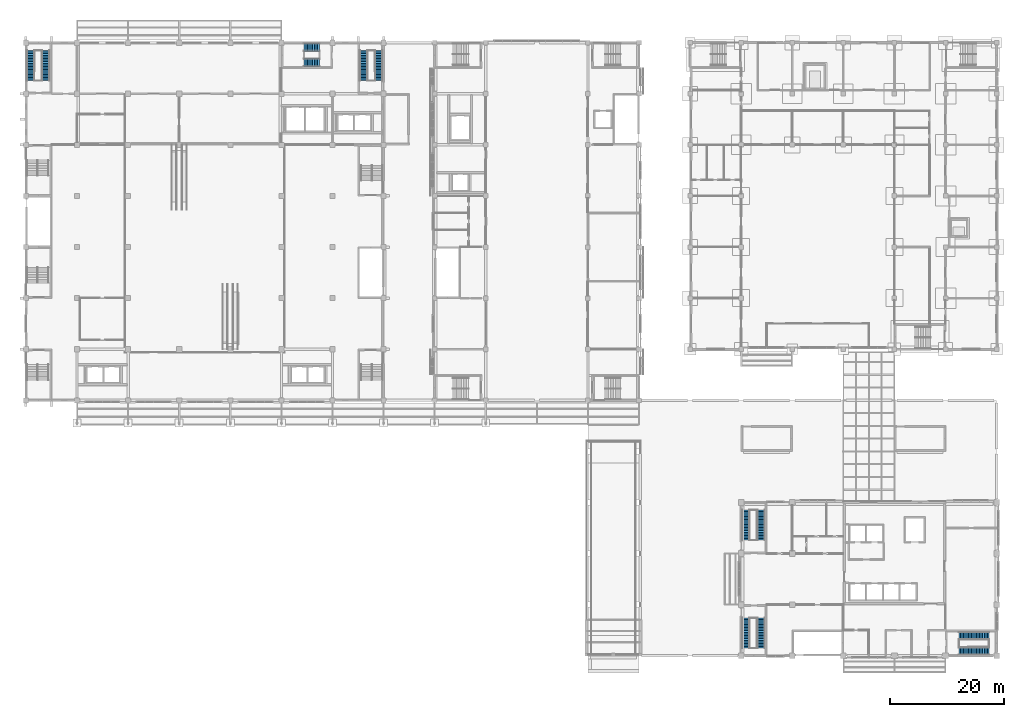
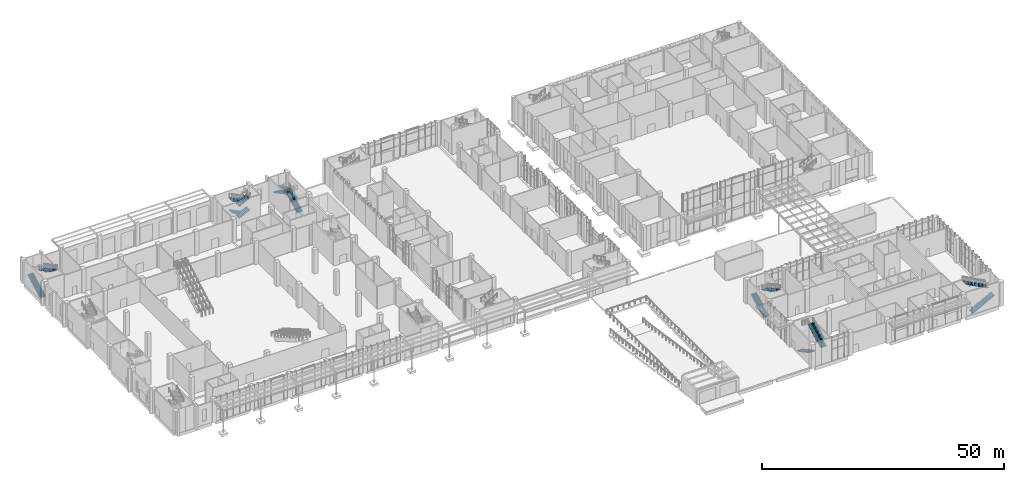
# One storey, part 65 of 86: 14 stair flights, 6 elements without a shape of their own.
"""IFC4 building model written with IfcOpenShell, lengths in metres."""

from ifc_helpers import new_model, si_unit, direction, frame, origin, place, context, subcontext, project, spatial, polyline, outline, extrude, material, type_object, element, aggregate, save


model = new_model("IFC4")

# Units and contexts
model_context = context("Model", 3, precision=1e-05, world=origin(), true_north=direction((0.0, 1.0)))
body_context = subcontext(model_context, "Body", "Model", "MODEL_VIEW")
ifc_project = project(units=[si_unit("LENGTHUNIT", "METRE"), si_unit("AREAUNIT", "SQUARE_METRE"), si_unit("VOLUMEUNIT", "CUBIC_METRE"), si_unit("PLANEANGLEUNIT", "RADIAN"), si_unit("MASSUNIT", "GRAM", prefix="KILO")], contexts=[model_context])

# Site, building, storey
site_placement = place(None, origin())
site = spatial("IfcSite", under=ifc_project, at=site_placement, CompositionType="ELEMENT")
building_placement = place(site_placement, origin())
building = spatial("IfcBuilding", under=site, at=building_placement, Name="Guidao Yard Department Store", CompositionType="ELEMENT")
storey_placement = place(building_placement, origin())
storey = spatial("IfcBuildingStorey", under=building, at=storey_placement, Name="L00", CompositionType="ELEMENT", Elevation=0.0)

# Stair, stair flights
ifc_material_1 = material(Name="Concrete C35", Category="concrete")
stair_type_1 = type_object("IfcStairType", Name="Stair double-return four-flight 1400 wide 6.0 m rise", PredefinedType="DOUBLE_RETURN_STAIR", material=ifc_material_1)
stair_1_placement = place(storey_placement, origin())
stair_1 = element("IfcStair", 1, at=stair_1_placement, inside=storey, type_object=stair_type_1, Name="Stair A7 L00 to L01", PredefinedType="DOUBLE_RETURN_STAIR")
ifc_material_2 = material(Name="Concrete C35", Category="concrete")
stair_flight_type_1 = type_object("IfcStairFlightType", Name="Stair flight RC straight 1400 wide 10 risers x 300 going C35", PredefinedType="STRAIGHT", material=ifc_material_2)
stair_flight_1_placement = place(storey_placement, frame((51.699951171875, 107.175048828125, 0.0), z_axis=(0.0, 0.0, 1.0), x_axis=(-1.0, 0.0, 0.0)))
stair_flight_1 = element("IfcStairFlight", 2, at=stair_flight_1_placement, type_object=stair_flight_type_1, Name="SA7-L00 flight 1", NumberOfRisers=10, NumberOfTreads=9, PredefinedType="STRAIGHT", RiserHeight=0.15, TreadLength=0.3, context=body_context, shape_type="SweptSolid", body=[
    extrude(outline(polyline([(0.0, 0.0), (0.0, 0.14990234375), (0.300048828125, 0.14990234375), (0.300048828125, 0.300048828125), (0.60009765625, 0.300048828125), (0.60009765625, 0.449951171875), (0.89990234375, 0.449951171875), (0.89990234375, 0.60009765625), (1.199951171875, 0.60009765625), (1.199951171875, 0.75), (1.5, 0.75), (1.5, 0.89990234375), (1.800048828125, 0.89990234375), (1.800048828125, 1.050048828125), (2.10009765625, 1.050048828125), (2.10009765625, 1.199951171875), (2.39990234375, 1.199951171875), (2.39990234375, 1.35009765625), (2.699951171875, 1.35009765625), (2.699951171875, 1.5), (2.699951171875, 1.182373046875), (0.335205078125, 0.0), (0.0, 0.0)])), frame((0.0, 0.699951171875, 0.0), z_axis=(0.0, -1.0, 0.0), x_axis=(1.0, 0.0, 0.0)), (0.0, 0.0, 1.0), 1.39990234375),
])
stair_flight_2_placement = place(storey_placement, frame((49.0, 104.5, 1.5), z_axis=(0.0, 0.0, 1.0), x_axis=(1.0, 0.0, 0.0)))
stair_flight_2 = element("IfcStairFlight", 3, at=stair_flight_2_placement, type_object=stair_flight_type_1, Name="SA7-L00 flight 2", NumberOfRisers=10, NumberOfTreads=9, PredefinedType="STRAIGHT", RiserHeight=0.15, TreadLength=0.3, context=body_context, shape_type="SweptSolid", body=[
    extrude(outline(polyline([(0.0, 0.0), (0.0, 0.14990234375), (0.300048828125, 0.14990234375), (0.300048828125, 0.300048828125), (0.60009765625, 0.300048828125), (0.60009765625, 0.449951171875), (0.89990234375, 0.449951171875), (0.89990234375, 0.60009765625), (1.199951171875, 0.60009765625), (1.199951171875, 0.75), (1.5, 0.75), (1.5, 0.89990234375), (1.800048828125, 0.89990234375), (1.800048828125, 1.050048828125), (2.10009765625, 1.050048828125), (2.10009765625, 1.199951171875), (2.39990234375, 1.199951171875), (2.39990234375, 1.35009765625), (2.699951171875, 1.35009765625), (2.699951171875, 1.5), (2.699951171875, 1.182373046875), (0.335205078125, 0.0), (0.0, 0.0)])), frame((0.0, 0.699951171875, 0.0), z_axis=(0.0, -1.0, 0.0), x_axis=(1.0, 0.0, 0.0)), (0.0, 0.0, 1.0), 1.39990234375),
])
stair_flight_3_placement = place(storey_placement, frame((51.699951171875, 107.175048828125, 3.0), z_axis=(0.0, 0.0, 1.0), x_axis=(-1.0, 0.0, 0.0)))
stair_flight_3 = element("IfcStairFlight", 4, at=stair_flight_3_placement, type_object=stair_flight_type_1, Name="SA7-L00 flight 3", NumberOfRisers=10, NumberOfTreads=9, PredefinedType="STRAIGHT", RiserHeight=0.15, TreadLength=0.3, context=body_context, shape_type="SweptSolid", body=[
    extrude(outline(polyline([(0.0, 0.0), (0.0, 0.14990234375), (0.300048828125, 0.14990234375), (0.300048828125, 0.300048828125), (0.60009765625, 0.300048828125), (0.60009765625, 0.449951171875), (0.89990234375, 0.449951171875), (0.89990234375, 0.60009765625), (1.199951171875, 0.60009765625), (1.199951171875, 0.75), (1.5, 0.75), (1.5, 0.89990234375), (1.800048828125, 0.89990234375), (1.800048828125, 1.050048828125), (2.10009765625, 1.050048828125), (2.10009765625, 1.199951171875), (2.39990234375, 1.199951171875), (2.39990234375, 1.35009765625), (2.699951171875, 1.35009765625), (2.699951171875, 1.5), (2.699951171875, 1.182373046875), (0.335205078125, 0.0), (0.0, 0.0)])), frame((0.0, 0.699951171875, 0.0), z_axis=(0.0, -1.0, 0.0), x_axis=(1.0, 0.0, 0.0)), (0.0, 0.0, 1.0), 1.39990234375),
])
stair_flight_4_placement = place(storey_placement, frame((49.0, 104.5, 4.5), z_axis=(0.0, 0.0, 1.0), x_axis=(1.0, 0.0, 0.0)))
stair_flight_4 = element("IfcStairFlight", 5, at=stair_flight_4_placement, type_object=stair_flight_type_1, Name="SA7-L00 flight 4", NumberOfRisers=10, NumberOfTreads=9, PredefinedType="STRAIGHT", RiserHeight=0.15, TreadLength=0.3, context=body_context, shape_type="SweptSolid", body=[
    extrude(outline(polyline([(0.0, 0.0), (0.0, 0.14990234375), (0.300048828125, 0.14990234375), (0.300048828125, 0.300048828125), (0.60009765625, 0.300048828125), (0.60009765625, 0.449951171875), (0.89990234375, 0.449951171875), (0.89990234375, 0.60009765625), (1.199951171875, 0.60009765625), (1.199951171875, 0.75), (1.5, 0.75), (1.5, 0.89990234375), (1.800048828125, 0.89990234375), (1.800048828125, 1.050048828125), (2.10009765625, 1.050048828125), (2.10009765625, 1.199951171875), (2.39990234375, 1.199951171875), (2.39990234375, 1.35009765625), (2.699951171875, 1.35009765625), (2.699951171875, 1.5), (2.699951171875, 1.182373046875), (0.335205078125, 0.0), (0.0, 0.0)])), frame((0.0, 0.699951171875, 0.0), z_axis=(0.0, -1.0, 0.0), x_axis=(1.0, 0.0, 0.0)), (0.0, 0.0, 1.0), 1.39990234375),
])
aggregate(stair_1, [stair_flight_1, stair_flight_2, stair_flight_3, stair_flight_4])

ifc_material_3 = material(Name="Concrete C35", Category="concrete")
stair_type_2 = type_object("IfcStairType", Name="Stair half-turn two-flight 1400 wide 6.0 m rise", PredefinedType="HALF_TURN_STAIR", material=ifc_material_3)
stair_2_placement = place(storey_placement, origin())
stair_2 = element("IfcStair", 6, at=stair_2_placement, inside=storey, type_object=stair_type_2, Name="Stair A5 L00 to L01", PredefinedType="HALF_TURN_STAIR")
ifc_material_4 = material(Name="Concrete C35", Category="concrete")
stair_flight_type_2 = type_object("IfcStairFlightType", Name="Stair flight RC straight 1400 wide 20 risers x 280 going C35", PredefinedType="STRAIGHT", material=ifc_material_4)
stair_flight_5_placement = place(storey_placement, frame((0.824951171875, 101.300048828125, 0.0), z_axis=(0.0, 0.0, 1.0), x_axis=(0.0, 1.0, 0.0)))
stair_flight_5 = element("IfcStairFlight", 7, at=stair_flight_5_placement, type_object=stair_flight_type_2, Name="SA5-L00 flight 1", NumberOfRisers=20, NumberOfTreads=19, PredefinedType="STRAIGHT", RiserHeight=0.15, TreadLength=0.28, context=body_context, shape_type="SweptSolid", body=[
    extrude(outline(polyline([(0.0, 0.0), (0.0, 0.14990234375), (0.280029296875, 0.14990234375), (0.280029296875, 0.300048828125), (0.56005859375, 0.300048828125), (0.56005859375, 0.449951171875), (0.840087890625, 0.449951171875), (0.840087890625, 0.60009765625), (1.1201171875, 0.60009765625), (1.1201171875, 0.75), (1.39990234375, 0.75), (1.39990234375, 0.89990234375), (1.679931640625, 0.89990234375), (1.679931640625, 1.050048828125), (1.9599609375, 1.050048828125), (1.9599609375, 1.199951171875), (2.239990234375, 1.199951171875), (2.239990234375, 1.35009765625), (2.52001953125, 1.35009765625), (2.52001953125, 1.5), (2.800048828125, 1.5), (2.800048828125, 1.64990234375), (3.080078125, 1.64990234375), (3.080078125, 1.800048828125), (3.360107421875, 1.800048828125), (3.360107421875, 1.949951171875), (3.639892578125, 1.949951171875), (3.639892578125, 2.10009765625), (3.919921875, 2.10009765625), (3.919921875, 2.25), (4.199951171875, 2.25), (4.199951171875, 2.39990234375), (4.47998046875, 2.39990234375), (4.47998046875, 2.550048828125), (4.760009765625, 2.550048828125), (4.760009765625, 2.699951171875), (5.0400390625, 2.699951171875), (5.0400390625, 2.85009765625), (5.320068359375, 2.85009765625), (5.320068359375, 3.0), (5.320068359375, 2.679931640625), (0.3173828125, 0.0), (0.0, 0.0)])), frame((0.0, 0.699951171875, 0.0), z_axis=(0.0, -1.0, 0.0), x_axis=(1.0, 0.0, 0.0)), (0.0, 0.0, 1.0), 1.39990234375),
])
stair_flight_6_placement = place(storey_placement, frame((3.5, 106.6201171875, 3.0), z_axis=(0.0, 0.0, 1.0), x_axis=(0.0, -1.0, 0.0)))
stair_flight_6 = element("IfcStairFlight", 8, at=stair_flight_6_placement, type_object=stair_flight_type_2, Name="SA5-L00 flight 2", NumberOfRisers=20, NumberOfTreads=19, PredefinedType="STRAIGHT", RiserHeight=0.15, TreadLength=0.28, context=body_context, shape_type="SweptSolid", body=[
    extrude(outline(polyline([(0.0, 0.0), (0.0, 0.14990234375), (0.280029296875, 0.14990234375), (0.280029296875, 0.300048828125), (0.56005859375, 0.300048828125), (0.56005859375, 0.449951171875), (0.840087890625, 0.449951171875), (0.840087890625, 0.60009765625), (1.1201171875, 0.60009765625), (1.1201171875, 0.75), (1.39990234375, 0.75), (1.39990234375, 0.89990234375), (1.679931640625, 0.89990234375), (1.679931640625, 1.050048828125), (1.9599609375, 1.050048828125), (1.9599609375, 1.199951171875), (2.239990234375, 1.199951171875), (2.239990234375, 1.35009765625), (2.52001953125, 1.35009765625), (2.52001953125, 1.5), (2.800048828125, 1.5), (2.800048828125, 1.64990234375), (3.080078125, 1.64990234375), (3.080078125, 1.800048828125), (3.360107421875, 1.800048828125), (3.360107421875, 1.949951171875), (3.639892578125, 1.949951171875), (3.639892578125, 2.10009765625), (3.919921875, 2.10009765625), (3.919921875, 2.25), (4.199951171875, 2.25), (4.199951171875, 2.39990234375), (4.47998046875, 2.39990234375), (4.47998046875, 2.550048828125), (4.760009765625, 2.550048828125), (4.760009765625, 2.699951171875), (5.0400390625, 2.699951171875), (5.0400390625, 2.85009765625), (5.320068359375, 2.85009765625), (5.320068359375, 3.0), (5.320068359375, 2.679931640625), (0.3173828125, 0.0), (0.0, 0.0)])), frame((0.0, 0.699951171875, 0.0), z_axis=(0.0, -1.0, 0.0), x_axis=(1.0, 0.0, 0.0)), (0.0, 0.0, 1.0), 1.39990234375),
])
aggregate(stair_2, [stair_flight_5, stair_flight_6])

stair_3_placement = place(storey_placement, origin())
stair_3 = element("IfcStair", 9, at=stair_3_placement, inside=storey, type_object=stair_type_2, Name="Stair A6 L00 to L01", PredefinedType="HALF_TURN_STAIR")
stair_flight_7_placement = place(storey_placement, frame((62.175048828125, 101.300048828125, 0.0), z_axis=(0.0, 0.0, 1.0), x_axis=(0.0, 1.0, 0.0)))
stair_flight_7 = element("IfcStairFlight", 10, at=stair_flight_7_placement, type_object=stair_flight_type_2, Name="SA6-L00 flight 1", NumberOfRisers=20, NumberOfTreads=19, PredefinedType="STRAIGHT", RiserHeight=0.15, TreadLength=0.28, context=body_context, shape_type="SweptSolid", body=[
    extrude(outline(polyline([(0.0, 0.0), (0.0, 0.14990234375), (0.280029296875, 0.14990234375), (0.280029296875, 0.300048828125), (0.56005859375, 0.300048828125), (0.56005859375, 0.449951171875), (0.840087890625, 0.449951171875), (0.840087890625, 0.60009765625), (1.1201171875, 0.60009765625), (1.1201171875, 0.75), (1.39990234375, 0.75), (1.39990234375, 0.89990234375), (1.679931640625, 0.89990234375), (1.679931640625, 1.050048828125), (1.9599609375, 1.050048828125), (1.9599609375, 1.199951171875), (2.239990234375, 1.199951171875), (2.239990234375, 1.35009765625), (2.52001953125, 1.35009765625), (2.52001953125, 1.5), (2.800048828125, 1.5), (2.800048828125, 1.64990234375), (3.080078125, 1.64990234375), (3.080078125, 1.800048828125), (3.360107421875, 1.800048828125), (3.360107421875, 1.949951171875), (3.639892578125, 1.949951171875), (3.639892578125, 2.10009765625), (3.919921875, 2.10009765625), (3.919921875, 2.25), (4.199951171875, 2.25), (4.199951171875, 2.39990234375), (4.47998046875, 2.39990234375), (4.47998046875, 2.550048828125), (4.760009765625, 2.550048828125), (4.760009765625, 2.699951171875), (5.0400390625, 2.699951171875), (5.0400390625, 2.85009765625), (5.320068359375, 2.85009765625), (5.320068359375, 3.0), (5.320068359375, 2.679931640625), (0.3173828125, 0.0), (0.0, 0.0)])), frame((0.0, 0.699951171875, 0.0), z_axis=(0.0, -1.0, 0.0), x_axis=(1.0, 0.0, 0.0)), (0.0, 0.0, 1.0), 1.39990234375),
])
stair_flight_8_placement = place(storey_placement, frame((59.5, 106.6201171875, 3.0), z_axis=(0.0, 0.0, 1.0), x_axis=(0.0, -1.0, 0.0)))
stair_flight_8 = element("IfcStairFlight", 11, at=stair_flight_8_placement, type_object=stair_flight_type_2, Name="SA6-L00 flight 2", NumberOfRisers=20, NumberOfTreads=19, PredefinedType="STRAIGHT", RiserHeight=0.15, TreadLength=0.28, context=body_context, shape_type="SweptSolid", body=[
    extrude(outline(polyline([(0.0, 0.0), (0.0, 0.14990234375), (0.280029296875, 0.14990234375), (0.280029296875, 0.300048828125), (0.56005859375, 0.300048828125), (0.56005859375, 0.449951171875), (0.840087890625, 0.449951171875), (0.840087890625, 0.60009765625), (1.1201171875, 0.60009765625), (1.1201171875, 0.75), (1.39990234375, 0.75), (1.39990234375, 0.89990234375), (1.679931640625, 0.89990234375), (1.679931640625, 1.050048828125), (1.9599609375, 1.050048828125), (1.9599609375, 1.199951171875), (2.239990234375, 1.199951171875), (2.239990234375, 1.35009765625), (2.52001953125, 1.35009765625), (2.52001953125, 1.5), (2.800048828125, 1.5), (2.800048828125, 1.64990234375), (3.080078125, 1.64990234375), (3.080078125, 1.800048828125), (3.360107421875, 1.800048828125), (3.360107421875, 1.949951171875), (3.639892578125, 1.949951171875), (3.639892578125, 2.10009765625), (3.919921875, 2.10009765625), (3.919921875, 2.25), (4.199951171875, 2.25), (4.199951171875, 2.39990234375), (4.47998046875, 2.39990234375), (4.47998046875, 2.550048828125), (4.760009765625, 2.550048828125), (4.760009765625, 2.699951171875), (5.0400390625, 2.699951171875), (5.0400390625, 2.85009765625), (5.320068359375, 2.85009765625), (5.320068359375, 3.0), (5.320068359375, 2.679931640625), (0.3173828125, 0.0), (0.0, 0.0)])), frame((0.0, 0.699951171875, 0.0), z_axis=(0.0, -1.0, 0.0), x_axis=(1.0, 0.0, 0.0)), (0.0, 0.0, 1.0), 1.39990234375),
])
aggregate(stair_3, [stair_flight_7, stair_flight_8])

stair_4_placement = place(storey_placement, origin())
stair_4 = element("IfcStair", 12, at=stair_4_placement, inside=storey, type_object=stair_type_2, Name="Stair O1 L00 to L01", PredefinedType="HALF_TURN_STAIR")
stair_flight_9_placement = place(storey_placement, frame((126.824951171875, 6.64990234375, 0.0), z_axis=(0.0, 0.0, 1.0), x_axis=(0.0, -1.0, 0.0)))
stair_flight_9 = element("IfcStairFlight", 13, at=stair_flight_9_placement, type_object=stair_flight_type_2, Name="SO1-L00 flight 1", NumberOfRisers=20, NumberOfTreads=19, PredefinedType="STRAIGHT", RiserHeight=0.15, TreadLength=0.28, context=body_context, shape_type="SweptSolid", body=[
    extrude(outline(polyline([(0.0, 0.0), (0.0, 0.14990234375), (0.280029296875, 0.14990234375), (0.280029296875, 0.300048828125), (0.56005859375, 0.300048828125), (0.56005859375, 0.449951171875), (0.840087890625, 0.449951171875), (0.840087890625, 0.60009765625), (1.1201171875, 0.60009765625), (1.1201171875, 0.75), (1.39990234375, 0.75), (1.39990234375, 0.89990234375), (1.679931640625, 0.89990234375), (1.679931640625, 1.050048828125), (1.9599609375, 1.050048828125), (1.9599609375, 1.199951171875), (2.239990234375, 1.199951171875), (2.239990234375, 1.35009765625), (2.52001953125, 1.35009765625), (2.52001953125, 1.5), (2.800048828125, 1.5), (2.800048828125, 1.64990234375), (3.080078125, 1.64990234375), (3.080078125, 1.800048828125), (3.360107421875, 1.800048828125), (3.360107421875, 1.949951171875), (3.639892578125, 1.949951171875), (3.639892578125, 2.10009765625), (3.919921875, 2.10009765625), (3.919921875, 2.25), (4.199951171875, 2.25), (4.199951171875, 2.39990234375), (4.47998046875, 2.39990234375), (4.47998046875, 2.550048828125), (4.760009765625, 2.550048828125), (4.760009765625, 2.699951171875), (5.0400390625, 2.699951171875), (5.0400390625, 2.85009765625), (5.320068359375, 2.85009765625), (5.320068359375, 3.0), (5.320068359375, 2.679931640625), (0.3173828125, 0.0), (0.0, 0.0)])), frame((0.0, 0.699951171875, 0.0), z_axis=(0.0, -1.0, 0.0), x_axis=(1.0, 0.0, 0.0)), (0.0, 0.0, 1.0), 1.39990234375),
])
stair_flight_10_placement = place(storey_placement, frame((129.5, 1.330078125, 3.0), z_axis=(0.0, 0.0, 1.0), x_axis=(0.0, 1.0, 0.0)))
stair_flight_10 = element("IfcStairFlight", 14, at=stair_flight_10_placement, type_object=stair_flight_type_2, Name="SO1-L00 flight 2", NumberOfRisers=20, NumberOfTreads=19, PredefinedType="STRAIGHT", RiserHeight=0.15, TreadLength=0.28, context=body_context, shape_type="SweptSolid", body=[
    extrude(outline(polyline([(0.0, 0.0), (0.0, 0.14990234375), (0.280029296875, 0.14990234375), (0.280029296875, 0.300048828125), (0.56005859375, 0.300048828125), (0.56005859375, 0.449951171875), (0.840087890625, 0.449951171875), (0.840087890625, 0.60009765625), (1.1201171875, 0.60009765625), (1.1201171875, 0.75), (1.39990234375, 0.75), (1.39990234375, 0.89990234375), (1.679931640625, 0.89990234375), (1.679931640625, 1.050048828125), (1.9599609375, 1.050048828125), (1.9599609375, 1.199951171875), (2.239990234375, 1.199951171875), (2.239990234375, 1.35009765625), (2.52001953125, 1.35009765625), (2.52001953125, 1.5), (2.800048828125, 1.5), (2.800048828125, 1.64990234375), (3.080078125, 1.64990234375), (3.080078125, 1.800048828125), (3.360107421875, 1.800048828125), (3.360107421875, 1.949951171875), (3.639892578125, 1.949951171875), (3.639892578125, 2.10009765625), (3.919921875, 2.10009765625), (3.919921875, 2.25), (4.199951171875, 2.25), (4.199951171875, 2.39990234375), (4.47998046875, 2.39990234375), (4.47998046875, 2.550048828125), (4.760009765625, 2.550048828125), (4.760009765625, 2.699951171875), (5.0400390625, 2.699951171875), (5.0400390625, 2.85009765625), (5.320068359375, 2.85009765625), (5.320068359375, 3.0), (5.320068359375, 2.679931640625), (0.3173828125, 0.0), (0.0, 0.0)])), frame((0.0, 0.699951171875, 0.0), z_axis=(0.0, -1.0, 0.0), x_axis=(1.0, 0.0, 0.0)), (0.0, 0.0, 1.0), 1.39990234375),
])
aggregate(stair_4, [stair_flight_9, stair_flight_10])

stair_5_placement = place(storey_placement, origin())
stair_5 = element("IfcStair", 15, at=stair_5_placement, inside=storey, type_object=stair_type_2, Name="Stair O2 L00 to L01", PredefinedType="HALF_TURN_STAIR")
stair_flight_11_placement = place(storey_placement, frame((164.35009765625, 0.824951171875, 0.0), z_axis=(0.0, 0.0, 1.0), x_axis=(1.0, 0.0, 0.0)))
stair_flight_11 = element("IfcStairFlight", 16, at=stair_flight_11_placement, type_object=stair_flight_type_2, Name="SO2-L00 flight 1", NumberOfRisers=20, NumberOfTreads=19, PredefinedType="STRAIGHT", RiserHeight=0.15, TreadLength=0.28, context=body_context, shape_type="SweptSolid", body=[
    extrude(outline(polyline([(0.0, 0.0), (0.0, 0.14990234375), (0.280029296875, 0.14990234375), (0.280029296875, 0.300048828125), (0.56005859375, 0.300048828125), (0.56005859375, 0.449951171875), (0.840087890625, 0.449951171875), (0.840087890625, 0.60009765625), (1.1201171875, 0.60009765625), (1.1201171875, 0.75), (1.39990234375, 0.75), (1.39990234375, 0.89990234375), (1.679931640625, 0.89990234375), (1.679931640625, 1.050048828125), (1.9599609375, 1.050048828125), (1.9599609375, 1.199951171875), (2.239990234375, 1.199951171875), (2.239990234375, 1.35009765625), (2.52001953125, 1.35009765625), (2.52001953125, 1.5), (2.800048828125, 1.5), (2.800048828125, 1.64990234375), (3.080078125, 1.64990234375), (3.080078125, 1.800048828125), (3.360107421875, 1.800048828125), (3.360107421875, 1.949951171875), (3.639892578125, 1.949951171875), (3.639892578125, 2.10009765625), (3.919921875, 2.10009765625), (3.919921875, 2.25), (4.199951171875, 2.25), (4.199951171875, 2.39990234375), (4.47998046875, 2.39990234375), (4.47998046875, 2.550048828125), (4.760009765625, 2.550048828125), (4.760009765625, 2.699951171875), (5.0400390625, 2.699951171875), (5.0400390625, 2.85009765625), (5.320068359375, 2.85009765625), (5.320068359375, 3.0), (5.320068359375, 2.679931640625), (0.3173828125, 0.0), (0.0, 0.0)])), frame((0.0, 0.699951171875, 0.0), z_axis=(0.0, -1.0, 0.0), x_axis=(1.0, 0.0, 0.0)), (0.0, 0.0, 1.0), 1.39990234375),
])
stair_flight_12_placement = place(storey_placement, frame((169.669921875, 3.5, 3.0), z_axis=(0.0, 0.0, 1.0), x_axis=(-1.0, 0.0, 0.0)))
stair_flight_12 = element("IfcStairFlight", 17, at=stair_flight_12_placement, type_object=stair_flight_type_2, Name="SO2-L00 flight 2", NumberOfRisers=20, NumberOfTreads=19, PredefinedType="STRAIGHT", RiserHeight=0.15, TreadLength=0.28, context=body_context, shape_type="SweptSolid", body=[
    extrude(outline(polyline([(0.0, 0.0), (0.0, 0.14990234375), (0.280029296875, 0.14990234375), (0.280029296875, 0.300048828125), (0.56005859375, 0.300048828125), (0.56005859375, 0.449951171875), (0.840087890625, 0.449951171875), (0.840087890625, 0.60009765625), (1.1201171875, 0.60009765625), (1.1201171875, 0.75), (1.39990234375, 0.75), (1.39990234375, 0.89990234375), (1.679931640625, 0.89990234375), (1.679931640625, 1.050048828125), (1.9599609375, 1.050048828125), (1.9599609375, 1.199951171875), (2.239990234375, 1.199951171875), (2.239990234375, 1.35009765625), (2.52001953125, 1.35009765625), (2.52001953125, 1.5), (2.800048828125, 1.5), (2.800048828125, 1.64990234375), (3.080078125, 1.64990234375), (3.080078125, 1.800048828125), (3.360107421875, 1.800048828125), (3.360107421875, 1.949951171875), (3.639892578125, 1.949951171875), (3.639892578125, 2.10009765625), (3.919921875, 2.10009765625), (3.919921875, 2.25), (4.199951171875, 2.25), (4.199951171875, 2.39990234375), (4.47998046875, 2.39990234375), (4.47998046875, 2.550048828125), (4.760009765625, 2.550048828125), (4.760009765625, 2.699951171875), (5.0400390625, 2.699951171875), (5.0400390625, 2.85009765625), (5.320068359375, 2.85009765625), (5.320068359375, 3.0), (5.320068359375, 2.679931640625), (0.3173828125, 0.0), (0.0, 0.0)])), frame((0.0, 0.699951171875, 0.0), z_axis=(0.0, -1.0, 0.0), x_axis=(1.0, 0.0, 0.0)), (0.0, 0.0, 1.0), 1.39990234375),
])
aggregate(stair_5, [stair_flight_11, stair_flight_12])

stair_6_placement = place(storey_placement, origin())
stair_6 = element("IfcStair", 18, at=stair_6_placement, inside=storey, type_object=stair_type_2, Name="Stair O3 L00 to L01", PredefinedType="HALF_TURN_STAIR")
stair_flight_13_placement = place(storey_placement, frame((126.824951171875, 20.35009765625, 0.0), z_axis=(0.0, 0.0, 1.0), x_axis=(0.0, 1.0, 0.0)))
stair_flight_13 = element("IfcStairFlight", 19, at=stair_flight_13_placement, type_object=stair_flight_type_2, Name="SO3-L00 flight 1", NumberOfRisers=20, NumberOfTreads=19, PredefinedType="STRAIGHT", RiserHeight=0.15, TreadLength=0.28, context=body_context, shape_type="SweptSolid", body=[
    extrude(outline(polyline([(0.0, 0.0), (0.0, 0.14990234375), (0.280029296875, 0.14990234375), (0.280029296875, 0.300048828125), (0.56005859375, 0.300048828125), (0.56005859375, 0.449951171875), (0.840087890625, 0.449951171875), (0.840087890625, 0.60009765625), (1.1201171875, 0.60009765625), (1.1201171875, 0.75), (1.39990234375, 0.75), (1.39990234375, 0.89990234375), (1.679931640625, 0.89990234375), (1.679931640625, 1.050048828125), (1.9599609375, 1.050048828125), (1.9599609375, 1.199951171875), (2.239990234375, 1.199951171875), (2.239990234375, 1.35009765625), (2.52001953125, 1.35009765625), (2.52001953125, 1.5), (2.800048828125, 1.5), (2.800048828125, 1.64990234375), (3.080078125, 1.64990234375), (3.080078125, 1.800048828125), (3.360107421875, 1.800048828125), (3.360107421875, 1.949951171875), (3.639892578125, 1.949951171875), (3.639892578125, 2.10009765625), (3.919921875, 2.10009765625), (3.919921875, 2.25), (4.199951171875, 2.25), (4.199951171875, 2.39990234375), (4.47998046875, 2.39990234375), (4.47998046875, 2.550048828125), (4.760009765625, 2.550048828125), (4.760009765625, 2.699951171875), (5.0400390625, 2.699951171875), (5.0400390625, 2.85009765625), (5.320068359375, 2.85009765625), (5.320068359375, 3.0), (5.320068359375, 2.679931640625), (0.3173828125, 0.0), (0.0, 0.0)])), frame((0.0, 0.699951171875, 0.0), z_axis=(0.0, -1.0, 0.0), x_axis=(1.0, 0.0, 0.0)), (0.0, 0.0, 1.0), 1.39990234375),
])
stair_flight_14_placement = place(storey_placement, frame((129.5, 25.669921875, 3.0), z_axis=(0.0, 0.0, 1.0), x_axis=(0.0, -1.0, 0.0)))
stair_flight_14 = element("IfcStairFlight", 20, at=stair_flight_14_placement, type_object=stair_flight_type_2, Name="SO3-L00 flight 2", NumberOfRisers=20, NumberOfTreads=19, PredefinedType="STRAIGHT", RiserHeight=0.15, TreadLength=0.28, context=body_context, shape_type="SweptSolid", body=[
    extrude(outline(polyline([(0.0, 0.0), (0.0, 0.14990234375), (0.280029296875, 0.14990234375), (0.280029296875, 0.300048828125), (0.56005859375, 0.300048828125), (0.56005859375, 0.449951171875), (0.840087890625, 0.449951171875), (0.840087890625, 0.60009765625), (1.1201171875, 0.60009765625), (1.1201171875, 0.75), (1.39990234375, 0.75), (1.39990234375, 0.89990234375), (1.679931640625, 0.89990234375), (1.679931640625, 1.050048828125), (1.9599609375, 1.050048828125), (1.9599609375, 1.199951171875), (2.239990234375, 1.199951171875), (2.239990234375, 1.35009765625), (2.52001953125, 1.35009765625), (2.52001953125, 1.5), (2.800048828125, 1.5), (2.800048828125, 1.64990234375), (3.080078125, 1.64990234375), (3.080078125, 1.800048828125), (3.360107421875, 1.800048828125), (3.360107421875, 1.949951171875), (3.639892578125, 1.949951171875), (3.639892578125, 2.10009765625), (3.919921875, 2.10009765625), (3.919921875, 2.25), (4.199951171875, 2.25), (4.199951171875, 2.39990234375), (4.47998046875, 2.39990234375), (4.47998046875, 2.550048828125), (4.760009765625, 2.550048828125), (4.760009765625, 2.699951171875), (5.0400390625, 2.699951171875), (5.0400390625, 2.85009765625), (5.320068359375, 2.85009765625), (5.320068359375, 3.0), (5.320068359375, 2.679931640625), (0.3173828125, 0.0), (0.0, 0.0)])), frame((0.0, 0.699951171875, 0.0), z_axis=(0.0, -1.0, 0.0), x_axis=(1.0, 0.0, 0.0)), (0.0, 0.0, 1.0), 1.39990234375),
])
aggregate(stair_6, [stair_flight_13, stair_flight_14])

save(model, "model.ifc")
